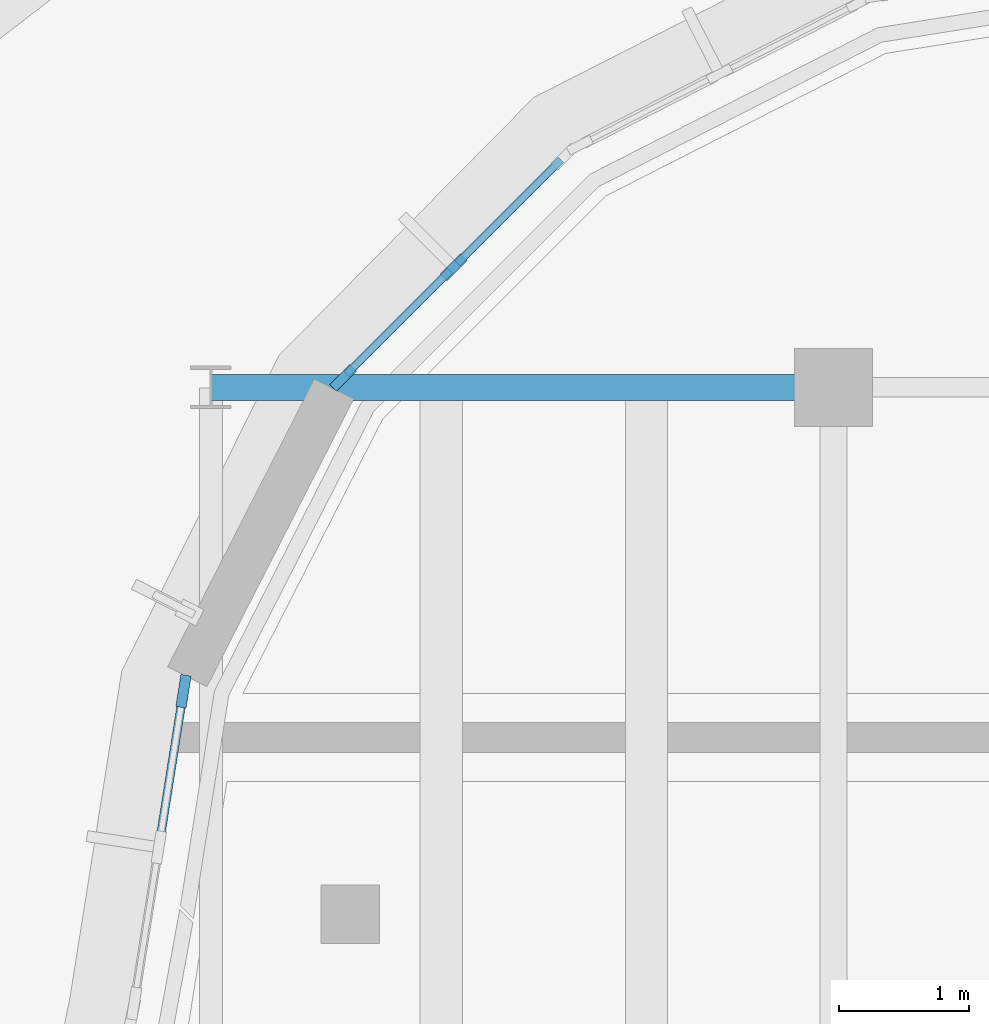
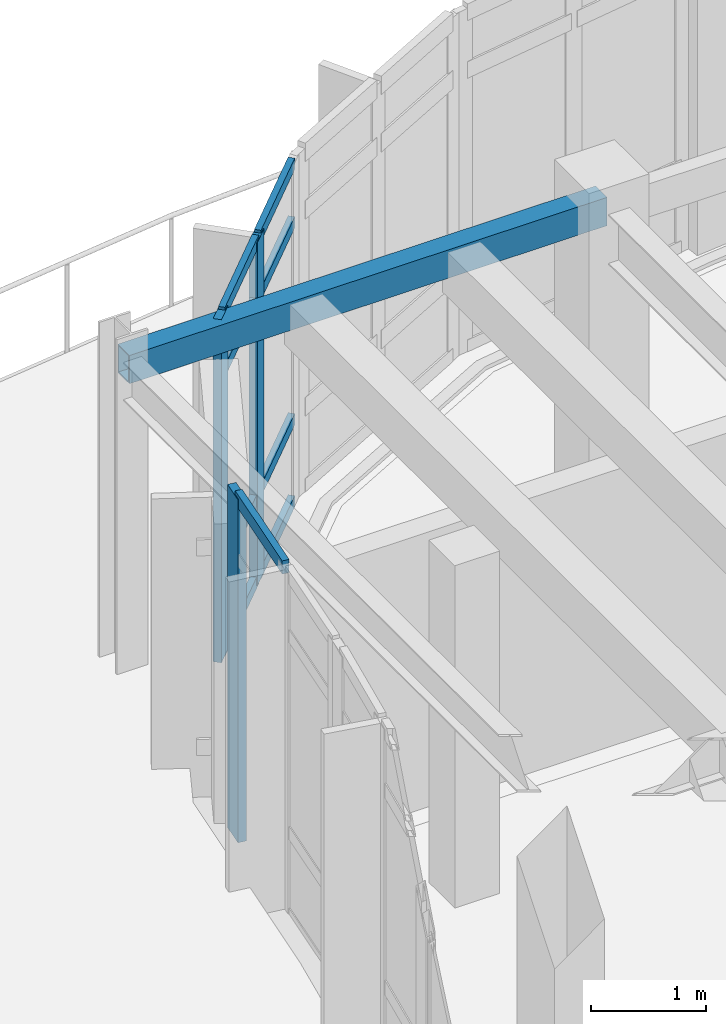
# One storey, part 48 of 111: 12 members, 1 beam, 2 elements without a shape of their own.
"""IFC4 building model written with IfcOpenShell, lengths in metres."""

from ifc_helpers import new_model, si_unit, direction, frame, origin, origin_2d, place, context, subcontext, project, spatial, rectangle, hollow_rectangle, extrude, material, material_profile, profile_set, type_object, element, aggregate, save


model = new_model("IFC4")

# Units and contexts
model_context = context("Model", 3, precision=1e-05, world=origin(), true_north=direction((0.0, 1.0)))
body_context = subcontext(model_context, "Body", "Model", "MODEL_VIEW")
ifc_project = project(units=[si_unit("LENGTHUNIT", "METRE"), si_unit("AREAUNIT", "SQUARE_METRE"), si_unit("VOLUMEUNIT", "CUBIC_METRE"), si_unit("PLANEANGLEUNIT", "RADIAN"), si_unit("MASSUNIT", "GRAM", prefix="KILO")], contexts=[model_context])

# Site, building, storey
site_placement = place(None, origin())
site = spatial("IfcSite", under=ifc_project, at=site_placement, CompositionType="ELEMENT")
building_placement = place(site_placement, origin())
building = spatial("IfcBuilding", under=site, at=building_placement, Name="Corveleigh Park Community Centre", CompositionType="ELEMENT")
storey_placement = place(building_placement, frame((0.0, 0.0, 4.800048828125)))
storey = spatial("IfcBuildingStorey", under=building, at=storey_placement, Name="L01", CompositionType="ELEMENT", Elevation=4.800048828125)

# Curtain wall, members
ifc_material_1 = material(Name="Anodised aluminium 6063-T6", Category="aluminium")
curtain_wall_type = type_object("IfcCurtainWallType", Name="CW-SYS-V4-L01", PredefinedType="NOTDEFINED", material=ifc_material_1)
curtain_wall_1_placement = place(storey_placement, origin())
curtain_wall_1 = element("IfcCurtainWall", 1, at=curtain_wall_1_placement, inside=storey, type_object=curtain_wall_type, Name="V4 L01 Curtain Wall 286", PredefinedType="NOTDEFINED")
ifc_material_profile_1 = material_profile(ifc_material_1, rectangle(XDim=0.074951171875, YDim=0.219970703125, at=origin_2d()), Name="ALU-M75x220", Category="aluminium")
ifc_profile_set_1 = profile_set([ifc_material_profile_1], Name="Anodised aluminium 6063-T6")
member_type_1 = type_object("IfcMemberType", Name="CWM-75x220", PredefinedType="MULLION", material=ifc_profile_set_1)
member_1_placement = place(storey_placement, frame((135.61962890625, 104.2734375, 0.0), z_axis=(0.0, 0.0, 1.0), x_axis=(-0.707106781187, 0.707106781187, 0.0)))
member_1 = element("IfcMember", 2, at=member_1_placement, type_object=member_type_1, Name="CW08 mullion 1", PredefinedType="MULLION", context=body_context, shape_type="SweptSolid", body=[
    extrude(rectangle(XDim=0.074951171875, YDim=0.219970703125, at=origin_2d()), origin(), (0.0, 0.0, 1.0), 3.636962890625),
])
member_2_placement = place(storey_placement, frame((136.472900390625, 105.126953125, 0.0), z_axis=(0.0, 0.0, 1.0), x_axis=(-0.707106781187, 0.707106781187, 0.0)))
member_2 = element("IfcMember", 3, at=member_2_placement, type_object=member_type_1, Name="CW08 mullion 2", PredefinedType="MULLION", context=body_context, shape_type="SweptSolid", body=[
    extrude(rectangle(XDim=0.074951171875, YDim=0.219970703125, at=origin_2d()), origin(), (0.0, 0.0, 1.0), 3.636962890625),
])

# Curtain wall, member
curtain_wall_2_placement = place(storey_placement, origin())
curtain_wall_2 = element("IfcCurtainWall", 4, at=curtain_wall_2_placement, inside=storey, type_object=curtain_wall_type, Name="V4 L01 Curtain Wall 287", PredefinedType="NOTDEFINED")
ifc_material_profile_2 = material_profile(ifc_material_1, rectangle(XDim=0.080078125, YDim=0.25, at=origin_2d()), Name="ALU-M80x250", Category="aluminium")
ifc_profile_set_2 = profile_set([ifc_material_profile_2], Name="Anodised aluminium 6063-T6")
member_type_2 = type_object("IfcMemberType", Name="CWM-80x250", PredefinedType="MULLION", material=ifc_profile_set_2)
member_3_placement = place(storey_placement, frame((134.388671875, 101.8564453125, 0.0), z_axis=(0.0, 0.0, 1.0), x_axis=(-0.987733954743, 0.15614619639, 0.0)))
member_3 = element("IfcMember", 5, at=member_3_placement, type_object=member_type_2, Name="CW08 mullion 3", PredefinedType="MULLION", context=body_context, shape_type="SweptSolid", body=[
    extrude(rectangle(XDim=0.080078125, YDim=0.25, at=origin_2d()), origin(), (0.0, 0.0, 1.0), 3.636962890625),
])

# Member
ifc_material_profile_3 = material_profile(ifc_material_1, rectangle(XDim=0.06005859375, YDim=0.1201171875, at=origin_2d()), Name="ALU-T60x120", Category="aluminium")
ifc_profile_set_3 = profile_set([ifc_material_profile_3], Name="Anodised aluminium 6063-T6")
member_type_3 = type_object("IfcMemberType", Name="CWT-60x120", PredefinedType="USERDEFINED", material=ifc_profile_set_3)
member_4_placement = place(storey_placement, frame((135.64599609375, 104.300048828125, 0.030029296875), z_axis=(0.707106781187, 0.707106781187, 0.0), x_axis=(-0.707106781187, 0.707106781187, 0.0)))
member_4 = element("IfcMember", 6, at=member_4_placement, type_object=member_type_3, Name="CW08 transom 1.1", ObjectType="TRANSOM", PredefinedType="USERDEFINED", context=body_context, shape_type="SweptSolid", body=[
    extrude(rectangle(XDim=0.06005859375, YDim=0.1201171875, at=origin_2d()), origin(), (0.0, 0.0, 1.0), 1.132080078125),
])

member_5_placement = place(storey_placement, frame((135.64599609375, 104.300048828125, 0.89990234375), z_axis=(0.707106781187, 0.707106781187, 0.0), x_axis=(-0.707106781187, 0.707106781187, 0.0)))
member_5 = element("IfcMember", 7, at=member_5_placement, type_object=member_type_3, Name="CW08 transom 1.2", ObjectType="TRANSOM", PredefinedType="USERDEFINED", context=body_context, shape_type="SweptSolid", body=[
    extrude(rectangle(XDim=0.06005859375, YDim=0.1201171875, at=origin_2d()), origin(), (0.0, 0.0, 1.0), 1.132080078125),
])

member_6_placement = place(storey_placement, frame((135.64599609375, 104.300048828125, 2.987060546875), z_axis=(0.707106781187, 0.707106781187, 0.0), x_axis=(-0.707106781187, 0.707106781187, 0.0)))
member_6 = element("IfcMember", 8, at=member_6_placement, type_object=member_type_3, Name="CW08 transom 1.3", ObjectType="TRANSOM", PredefinedType="USERDEFINED", context=body_context, shape_type="SweptSolid", body=[
    extrude(rectangle(XDim=0.06005859375, YDim=0.1201171875, at=origin_2d()), origin(), (0.0, 0.0, 1.0), 1.132080078125),
])

member_7_placement = place(storey_placement, frame((135.64599609375, 104.300048828125, 3.60693359375), z_axis=(0.707106781187, 0.707106781187, 0.0), x_axis=(-0.707106781187, 0.707106781187, 0.0)))
member_7 = element("IfcMember", 9, at=member_7_placement, type_object=member_type_3, Name="CW08 transom 1.4", ObjectType="TRANSOM", PredefinedType="USERDEFINED", context=body_context, shape_type="SweptSolid", body=[
    extrude(rectangle(XDim=0.06005859375, YDim=0.1201171875, at=origin_2d()), origin(), (0.0, 0.0, 1.0), 1.132080078125),
])

member_8_placement = place(storey_placement, frame((136.49951171875, 105.153564453125, 0.030029296875), z_axis=(0.707214612947, 0.70699893298, 0.0), x_axis=(-0.70699893298, 0.707214612947, 0.0)))
member_8 = element("IfcMember", 10, at=member_8_placement, type_object=member_type_3, Name="CW08 transom 2.1", ObjectType="TRANSOM", PredefinedType="USERDEFINED", context=body_context, shape_type="SweptSolid", body=[
    extrude(rectangle(XDim=0.06005859375, YDim=0.1201171875, at=origin_2d()), origin(), (0.0, 0.0, 1.0), 1.1318359375),
])

member_9_placement = place(storey_placement, frame((136.49951171875, 105.153564453125, 0.89990234375), z_axis=(0.707214612947, 0.70699893298, 0.0), x_axis=(-0.70699893298, 0.707214612947, 0.0)))
member_9 = element("IfcMember", 11, at=member_9_placement, type_object=member_type_3, Name="CW08 transom 2.2", ObjectType="TRANSOM", PredefinedType="USERDEFINED", context=body_context, shape_type="SweptSolid", body=[
    extrude(rectangle(XDim=0.06005859375, YDim=0.1201171875, at=origin_2d()), origin(), (0.0, 0.0, 1.0), 1.1318359375),
])

member_10_placement = place(storey_placement, frame((136.49951171875, 105.153564453125, 2.987060546875), z_axis=(0.707214612947, 0.70699893298, 0.0), x_axis=(-0.70699893298, 0.707214612947, 0.0)))
member_10 = element("IfcMember", 12, at=member_10_placement, type_object=member_type_3, Name="CW08 transom 2.3", ObjectType="TRANSOM", PredefinedType="USERDEFINED", context=body_context, shape_type="SweptSolid", body=[
    extrude(rectangle(XDim=0.06005859375, YDim=0.1201171875, at=origin_2d()), origin(), (0.0, 0.0, 1.0), 1.1318359375),
])

member_11_placement = place(storey_placement, frame((136.49951171875, 105.153564453125, 3.60693359375), z_axis=(0.707214612947, 0.70699893298, 0.0), x_axis=(-0.70699893298, 0.707214612947, 0.0)))
member_11 = element("IfcMember", 13, at=member_11_placement, type_object=member_type_3, Name="CW08 transom 2.4", ObjectType="TRANSOM", PredefinedType="USERDEFINED", context=body_context, shape_type="SweptSolid", body=[
    extrude(rectangle(XDim=0.06005859375, YDim=0.1201171875, at=origin_2d()), origin(), (0.0, 0.0, 1.0), 1.1318359375),
])

aggregate(curtain_wall_1, [member_1, member_2, member_4, member_5, member_6, member_7, member_8, member_9, member_10, member_11])

ifc_material_profile_4 = material_profile(ifc_material_1, rectangle(XDim=0.06494140625, YDim=0.139892578125, at=origin_2d()), Name="ALU-T65x140", Category="aluminium")
ifc_profile_set_4 = profile_set([ifc_material_profile_4], Name="Anodised aluminium 6063-T6")
member_type_4 = type_object("IfcMemberType", Name="CWT-65x140", PredefinedType="USERDEFINED", material=ifc_profile_set_4)
member_12_placement = place(storey_placement, frame((134.204833984375, 100.692626953125, 3.6044921875), z_axis=(0.156149815958, 0.987733382536, 0.0), x_axis=(-0.987733382536, 0.156149815958, 0.0)))
member_12 = element("IfcMember", 14, at=member_12_placement, type_object=member_type_4, Name="CW08 transom 2.4", ObjectType="TRANSOM", PredefinedType="USERDEFINED", context=body_context, shape_type="SweptSolid", body=[
    extrude(rectangle(XDim=0.06494140625, YDim=0.139892578125, at=origin_2d()), origin(), (0.0, 0.0, 1.0), 1.13818359375),
])

aggregate(curtain_wall_2, [member_3, member_12])

# Beam
ifc_material_2 = material(Name="Steel S355", Category="steel")
ifc_material_profile_5 = material_profile(ifc_material_2, hollow_rectangle(XDim=0.199951171875, YDim=0.300048828125, WallThickness=0.012451171875, at=origin_2d()), Name="RHS 300x200x12.5", Category="steel")
ifc_profile_set_5 = profile_set([ifc_material_profile_5], Name="Steel S355")
beam_type = type_object("IfcBeamType", Name="SP-STL-RHS300x200", PredefinedType="SPANDREL", material=ifc_profile_set_5)
beam_placement = place(storey_placement, frame((134.60498046875, 104.199951171875, 3.487060546875), z_axis=(1.0, 0.0, 0.0), x_axis=(0.0, 1.0, 0.0)))
element("IfcBeam", 15, at=beam_placement, inside=storey, type_object=beam_type, Name="V4 Girder X", PredefinedType="SPANDREL", context=body_context, shape_type="SweptSolid", body=[
    extrude(hollow_rectangle(XDim=0.199951171875, YDim=0.300048828125, WallThickness=0.012451171875, at=origin_2d()), origin(), (0.0, 0.0, 1.0), 4.7900390625),
])

save(model, "model.ifc")
